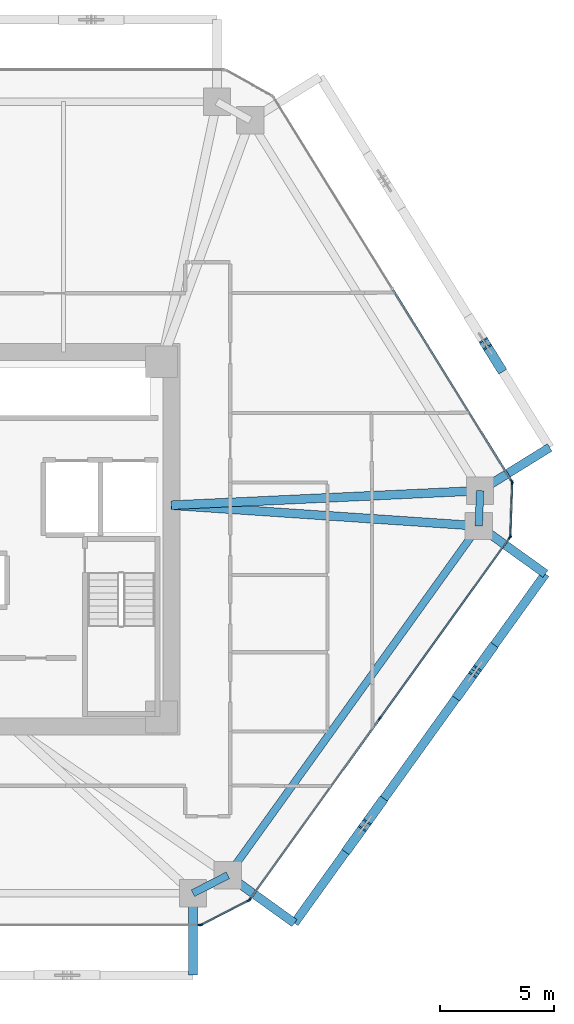
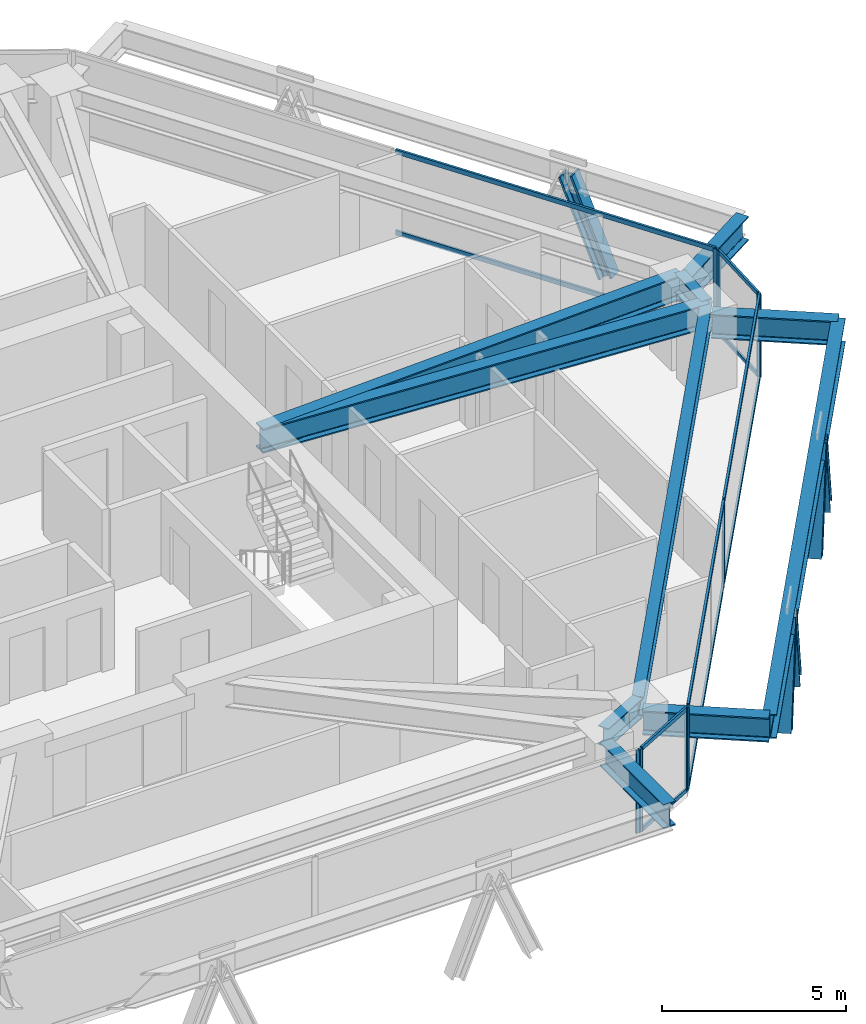
# One storey, part 5 of 17: 24 members, 10 beams, 5 elements without a shape of their own.
"""IFC4 building model written with IfcOpenShell, lengths in metres."""

from ifc_helpers import new_model, si_unit, direction, frame, origin, origin_2d, place, context, subcontext, project, spatial, rectangle, i_section, extrude, source, transform, mapped, material, layer, layer_set, material_profile, profile_set, type_object, type_shapes, element, aggregate, save


model = new_model("IFC4")

# Units and contexts
model_context = context("Model", 3, precision=1e-05, world=origin(), true_north=direction((0.0, 1.0)))
body_context = subcontext(model_context, "Body", "Model", "MODEL_VIEW")
ifc_project = project(units=[si_unit("LENGTHUNIT", "METRE"), si_unit("AREAUNIT", "SQUARE_METRE"), si_unit("VOLUMEUNIT", "CUBIC_METRE"), si_unit("PLANEANGLEUNIT", "RADIAN"), si_unit("MASSUNIT", "GRAM", prefix="KILO")], contexts=[model_context])

# Site, building, storey
site_placement = place(None, origin())
site = spatial("IfcSite", under=ifc_project, at=site_placement, CompositionType="ELEMENT")
building_placement = place(site_placement, origin())
building = spatial("IfcBuilding", under=site, at=building_placement, Name="Durnholm Broadcast Tower", CompositionType="ELEMENT")
storey_placement = place(building_placement, frame((0.0, 0.0, 137.10009765625)))
storey = spatial("IfcBuildingStorey", under=building, at=storey_placement, Name="L37", CompositionType="ELEMENT", Elevation=137.10009765625)

# Beams
ifc_material_1 = material(Name="Steel ASTM A992 Grade 50", Category="steel")
ifc_material_profile_1 = material_profile(ifc_material_1, i_section(OverallWidth=0.385009765625, OverallDepth=0.802978515625, WebThickness=0.023681640625, FlangeThickness=0.0419921875, FilletRadius=0.032958984375, at=origin_2d()), Name="W30X261")
ifc_profile_set_1 = profile_set([ifc_material_profile_1], Name="Steel ASTM A992 Grade 50")
beam_type_1 = type_object("IfcBeamType", Name="BM-EXO-TIE", PredefinedType="USERDEFINED", material=ifc_profile_set_1)
shared_shape_1 = source(origin(), body_context, "Body", "SweptSolid", [
    extrude(i_section(OverallWidth=0.385009765625, OverallDepth=0.802978515625, WebThickness=0.023681640625, FlangeThickness=0.0419921875, FilletRadius=0.032958984375, at=origin_2d()), origin(), (0.0, 0.0, 1.0), 3.4560546875),
])
for number, where, z_axis, x_axis, name in (
    (1, (11.176025390625, -15.680908203125, 2.008544921875), (0.0, -1.0, 0.0), (1.0, 0.0, 0.0), "L37 exoskeleton stand-off tie bracket F1.2"),
    (2, (12.826904296875, -14.834228515625, 2.008544921875), (0.812164951739, -0.583427880005, 0.0), (0.583427880005, 0.812164951739, 0.0), "L37 exoskeleton stand-off tie bracket F2.1"),
    (3, (23.844970703125, 0.5029296875, 2.008544921875), (0.812164951739, -0.583427880005, 0.0), (0.583427880005, 0.812164951739, 0.0), "L37 exoskeleton stand-off tie bracket F2.2"),
    (4, (23.903076171875, 2.21240234375, 2.008544921875), (0.849795112316, 0.527113144481, 0.0), (-0.527113144481, 0.849795112316, 0.0), "L37 exoskeleton stand-off tie bracket F3.1"),
):
    element("IfcBeam", number, at=place(storey_placement, frame(where, z_axis=z_axis, x_axis=x_axis)), inside=storey, type_object=beam_type_1, Name=name, ObjectType="GIRDER", PredefinedType="USERDEFINED", context=body_context, shape_type="MappedRepresentation", body=[
        mapped(shared_shape_1, transform((0.0, 0.0, 0.0), x_axis=(1.0, 0.0, 0.0), y_axis=(0.0, 1.0, 0.0), z_axis=(0.0, 0.0, 1.0), scale=1.0)),
    ])
ifc_material_profile_2 = material_profile(ifc_material_1, i_section(OverallWidth=0.3291015625, OverallDepth=0.635009765625, WebThickness=0.017822265625, FlangeThickness=0.031005859375, FilletRadius=0.02783203125, at=origin_2d()), Name="W24X162")
ifc_profile_set_2 = profile_set([ifc_material_profile_2], Name="Steel ASTM A992 Grade 50")
beam_type_2 = type_object("IfcBeamType", Name="STL-SP-W24X162", PredefinedType="SPANDREL", material=ifc_profile_set_2)
shared_shape_2 = source(origin(), body_context, "Body", "SweptSolid", [
    extrude(i_section(OverallWidth=0.3291015625, OverallDepth=0.635009765625, WebThickness=0.017822265625, FlangeThickness=0.031005859375, FilletRadius=0.02783203125, at=origin_2d()), origin(), (0.0, 0.0, 1.0), 18.884521484375),
])
beam_1_placement = place(storey_placement, frame((23.72802734375, 0.5869140625, 2.427490234375), z_axis=(-0.583443434414, -0.812153777827, 0.0), x_axis=(0.812153777827, -0.583443434414, 0.0)))
element("IfcBeam", 5, at=beam_1_placement, inside=storey, type_object=beam_type_2, Name="L37 perimeter spandrel girder 09", PredefinedType="SPANDREL", context=body_context, shape_type="MappedRepresentation", body=[
    mapped(shared_shape_2, transform((0.0, 0.0, 0.0), x_axis=(1.0, 0.0, 0.0), y_axis=(0.0, 1.0, 0.0), z_axis=(0.0, 0.0, 1.0), scale=1.0)),
])
shared_shape_3 = source(origin(), body_context, "Body", "SweptSolid", [
    extrude(i_section(OverallWidth=0.3291015625, OverallDepth=0.635009765625, WebThickness=0.017822265625, FlangeThickness=0.031005859375, FilletRadius=0.02783203125, at=origin_2d()), origin(), (0.0, 0.0, 1.0), 1.723876953125),
])
beam_2_placement = place(storey_placement, frame((12.7099609375, -14.750244140625, 2.427490234375), z_axis=(-0.889762904339, -0.456423020959, 0.0), x_axis=(0.456423020959, -0.889762904339, 0.0)))
element("IfcBeam", 6, at=beam_2_placement, inside=storey, type_object=beam_type_2, Name="L37 perimeter spandrel girder 10", PredefinedType="SPANDREL", context=body_context, shape_type="MappedRepresentation", body=[
    mapped(shared_shape_3, transform((0.0, 0.0, 0.0), x_axis=(1.0, 0.0, 0.0), y_axis=(0.0, 1.0, 0.0), z_axis=(0.0, 0.0, 1.0), scale=1.0)),
])
shared_shape_4 = source(origin(), body_context, "Body", "SweptSolid", [
    extrude(i_section(OverallWidth=0.3291015625, OverallDepth=0.635009765625, WebThickness=0.017822265625, FlangeThickness=0.031005859375, FilletRadius=0.02783203125, at=origin_2d()), origin(), (0.0, 0.0, 1.0), 1.55078125),
])
type_shapes(beam_type_2, [shared_shape_2, shared_shape_3, shared_shape_4])
beam_3_placement = place(storey_placement, frame((23.78076171875, 2.13671875, 2.427490234375), z_axis=(-0.03400678419, -0.999421602042, 0.0), x_axis=(0.999421602042, -0.03400678419, 0.0)))
element("IfcBeam", 7, at=beam_3_placement, inside=storey, type_object=beam_type_2, Name="L37 perimeter spandrel girder 08", PredefinedType="SPANDREL", context=body_context, shape_type="MappedRepresentation", body=[
    mapped(shared_shape_4, transform((0.0, 0.0, 0.0), x_axis=(1.0, 0.0, 0.0), y_axis=(0.0, 1.0, 0.0), z_axis=(0.0, 0.0, 1.0), scale=1.0)),
])
ifc_material_profile_3 = material_profile(ifc_material_1, i_section(OverallWidth=0.385009765625, OverallDepth=0.802978515625, WebThickness=0.023681640625, FlangeThickness=0.0419921875, FilletRadius=0.032958984375, at=origin_2d()), Name="W30X261")
ifc_profile_set_3 = profile_set([ifc_material_profile_3], Name="Steel ASTM A992 Grade 50")
beam_type_3 = type_object("IfcBeamType", Name="STL-GR-W30X261", PredefinedType="USERDEFINED", material=ifc_profile_set_3)
shared_shape_5 = source(origin(), body_context, "Body", "SweptSolid", [
    extrude(i_section(OverallWidth=0.385009765625, OverallDepth=0.802978515625, WebThickness=0.023681640625, FlangeThickness=0.0419921875, FilletRadius=0.032958984375, at=origin_2d()), origin(), (0.0, 0.0, 1.0), 13.570556640625),
])
beam_4_placement = place(storey_placement, frame((10.22509765625, 1.5, 2.343505859375), z_axis=(0.99889869961, 0.046918950518, 0.0), x_axis=(-0.046918950518, 0.99889869961, 0.0)))
element("IfcBeam", 8, at=beam_4_placement, inside=storey, type_object=beam_type_3, Name="L37 radial primary floor girder 08", ObjectType="GIRDER", PredefinedType="USERDEFINED", context=body_context, shape_type="MappedRepresentation", body=[
    mapped(shared_shape_5, transform((0.0, 0.0, 0.0), x_axis=(1.0, 0.0, 0.0), y_axis=(0.0, 1.0, 0.0), z_axis=(0.0, 0.0, 1.0), scale=1.0)),
])
shared_shape_6 = source(origin(), body_context, "Body", "SweptSolid", [
    extrude(i_section(OverallWidth=0.385009765625, OverallDepth=0.802978515625, WebThickness=0.023681640625, FlangeThickness=0.0419921875, FilletRadius=0.032958984375, at=origin_2d()), origin(), (0.0, 0.0, 1.0), 13.53369140625),
])
type_shapes(beam_type_3, [shared_shape_5, shared_shape_6])
beam_5_placement = place(storey_placement, frame((10.22509765625, 1.5, 2.343505859375), z_axis=(0.99772148964, -0.067467244725, 0.0), x_axis=(0.067467244725, 0.99772148964, 0.0)))
element("IfcBeam", 9, at=beam_5_placement, inside=storey, type_object=beam_type_3, Name="L37 radial primary floor girder 09", ObjectType="GIRDER", PredefinedType="USERDEFINED", context=body_context, shape_type="MappedRepresentation", body=[
    mapped(shared_shape_6, transform((0.0, 0.0, 0.0), x_axis=(1.0, 0.0, 0.0), y_axis=(0.0, 1.0, 0.0), z_axis=(0.0, 0.0, 1.0), scale=1.0)),
])
shared_shape_7 = source(origin(), body_context, "Body", "SweptSolid", [
    extrude(i_section(OverallWidth=0.385009765625, OverallDepth=0.802978515625, WebThickness=0.023681640625, FlangeThickness=0.0419921875, FilletRadius=0.032958984375, at=origin_2d()), origin(), (0.0, 0.0, 1.0), 18.884521484375),
])
type_shapes(beam_type_1, [shared_shape_1, shared_shape_7])
beam_6_placement = place(storey_placement, frame((15.6337890625, -16.8505859375, 2.008544921875), z_axis=(0.583443434414, 0.812153777827, 0.0), x_axis=(-0.812153777827, 0.583443434414, 0.0)))
element("IfcBeam", 10, at=beam_6_placement, inside=storey, type_object=beam_type_1, Name="L37 exoskeleton collector spandrel F2", PredefinedType="SPANDREL", context=body_context, shape_type="MappedRepresentation", body=[
    mapped(shared_shape_7, transform((0.0, 0.0, 0.0), x_axis=(1.0, 0.0, 0.0), y_axis=(0.0, 1.0, 0.0), z_axis=(0.0, 0.0, 1.0), scale=1.0)),
])

# Members
ifc_material_2 = material(Name="Steel ASTM A913 Grade 65", Category="steel")
ifc_material_profile_4 = material_profile(ifc_material_2, i_section(OverallWidth=0.41845703125, OverallDepth=0.455078125, WebThickness=0.0419921875, FlangeThickness=0.067626953125, FilletRadius=0.030517578125, at=origin_2d()), Name="W14X370")
ifc_profile_set_4 = profile_set([ifc_material_profile_4], Name="Steel ASTM A913 Grade 65")
member_type_1 = type_object("IfcMemberType", Name="STL-DG-W14X370", PredefinedType="BRACE", material=ifc_profile_set_4)
shared_shape_8 = source(origin(), body_context, "Body", "SweptSolid", [
    extrude(i_section(OverallWidth=0.41845703125, OverallDepth=0.455078125, WebThickness=0.0419921875, FlangeThickness=0.067626953125, FilletRadius=0.030517578125, at=origin_2d()), origin(), (0.0, 0.0, 1.0), 3.243896484375),
])
for number, where, z_axis, x_axis, name in (
    (11, (19.438720703125, -11.55419921875, -0.991455078125), (-0.221947394098, -0.308950170489, 0.924818439699), (0.812153063014, -0.583444429434, 0.0), "L37 stand-off diagrid brace F2.D1.2"),
    (12, (22.846923828125, -6.81005859375, -0.991455078125), (0.221947394098, 0.308950170489, 0.924818439699), (-0.812153063014, 0.583444429434, 0.0), "L37 stand-off diagrid brace F2.D2.1"),
    (13, (24.66552734375, 7.539794921875, -0.991455078125), (-0.200499851569, 0.323253326761, 0.924828144175), (-0.849805205368, -0.527096872433, 0.0), "L37 stand-off diagrid brace F3.D1.1"),
):
    element("IfcMember", number, at=place(storey_placement, frame(where, z_axis=z_axis, x_axis=x_axis)), inside=storey, type_object=member_type_1, Name=name, PredefinedType="BRACE", context=body_context, shape_type="MappedRepresentation", body=[
        mapped(shared_shape_8, transform((0.0, 0.0, 0.0), x_axis=(1.0, 0.0, 0.0), y_axis=(0.0, 1.0, 0.0), z_axis=(0.0, 0.0, 1.0), scale=1.0)),
    ])
shared_shape_9 = source(origin(), body_context, "Body", "SweptSolid", [
    extrude(i_section(OverallWidth=0.41845703125, OverallDepth=0.455078125, WebThickness=0.0419921875, FlangeThickness=0.067626953125, FilletRadius=0.030517578125, at=origin_2d()), origin(), (0.0, 0.0, 1.0), 3.24365234375),
])
type_shapes(member_type_1, [shared_shape_8, shared_shape_9])
for number, where, z_axis, x_axis, name in (
    (14, (17.9990234375, -13.558349609375, -0.991455078125), (0.22188099666, 0.308887249081, 0.924855389062), (-0.812179469647, 0.583407669717, 0.0), "L37 stand-off diagrid brace F2.D1.1"),
    (15, (24.28662109375, -4.805908203125, -0.991455078125), (-0.22188099666, -0.308887249081, 0.924855389062), (0.812179469647, -0.583407669717, 0.0), "L37 stand-off diagrid brace F2.D2.2"),
):
    element("IfcMember", number, at=place(storey_placement, frame(where, z_axis=z_axis, x_axis=x_axis)), inside=storey, type_object=member_type_1, Name=name, PredefinedType="BRACE", context=body_context, shape_type="MappedRepresentation", body=[
        mapped(shared_shape_9, transform((0.0, 0.0, 0.0), x_axis=(1.0, 0.0, 0.0), y_axis=(0.0, 1.0, 0.0), z_axis=(0.0, 0.0, 1.0), scale=1.0)),
    ])

# Curtain wall, members
ifc_material_3 = material(Name="Aluminium and Solar Control IGU", Category="aluminium")
ifc_layer_1 = layer(ifc_material_3, 0.1650390625)
ifc_layer_set_1 = layer_set([ifc_layer_1], Name="Aluminium and Solar Control IGU")
curtain_wall_type_1 = type_object("IfcCurtainWallType", Name="CW-SYS-5", PredefinedType="NOTDEFINED", material=ifc_layer_set_1)
curtain_wall_1_placement = place(storey_placement, origin())
curtain_wall_1 = element("IfcCurtainWall", 16, at=curtain_wall_1_placement, inside=storey, type_object=curtain_wall_type_1, Name="L37 curtain wall CW-CORNER CW-L37-CRN-07", PredefinedType="NOTDEFINED")
ifc_material_4 = material(Name="Aluminium 6063-T6", Category="aluminium")
ifc_material_profile_5 = material_profile(ifc_material_4, rectangle(XDim=0.06494140625, YDim=0.1650390625, at=origin_2d()), Name="CWM65X165")
ifc_profile_set_5 = profile_set([ifc_material_profile_5], Name="Aluminium 6063-T6")
member_type_2 = type_object("IfcMemberType", Name="CW-SYS-5-MUL", PredefinedType="MULLION", material=ifc_profile_set_5)
shared_shape_10 = source(origin(), body_context, "Body", "SweptSolid", [
    extrude(rectangle(XDim=0.06494140625, YDim=0.1650390625, at=origin_2d()), origin(), (0.0, 0.0, 1.0), 2.760009765625),
])
type_shapes(member_type_2, [shared_shape_10])
member_1_placement = place(storey_placement, frame((25.193115234375, 2.481201171875, 0.0), z_axis=(0.0, 0.0, 1.0), x_axis=(0.999424655155, -0.033916937775, 0.0)))
member_1 = element("IfcMember", 17, at=member_1_placement, type_object=member_type_2, Name="CW-CORNER mullion 1", PredefinedType="MULLION", context=body_context, shape_type="MappedRepresentation", body=[
    mapped(shared_shape_10, transform((0.0, 0.0, 0.0), x_axis=(1.0, 0.0, 0.0), y_axis=(0.0, 1.0, 0.0), z_axis=(0.0, 0.0, 1.0), scale=1.0)),
])
member_2_placement = place(storey_placement, frame((25.114013671875, 0.1474609375, 0.0), z_axis=(0.0, 0.0, 1.0), x_axis=(0.999424655155, -0.033916937775, 0.0)))
member_2 = element("IfcMember", 18, at=member_2_placement, type_object=member_type_2, Name="CW-CORNER mullion 2", PredefinedType="MULLION", context=body_context, shape_type="MappedRepresentation", body=[
    mapped(shared_shape_10, transform((0.0, 0.0, 0.0), x_axis=(1.0, 0.0, 0.0), y_axis=(0.0, 1.0, 0.0), z_axis=(0.0, 0.0, 1.0), scale=1.0)),
])

curtain_wall_2_placement = place(storey_placement, origin())
curtain_wall_2 = element("IfcCurtainWall", 19, at=curtain_wall_2_placement, inside=storey, type_object=curtain_wall_type_1, Name="L37 curtain wall CW-CORNER CW-L37-CRN-09", PredefinedType="NOTDEFINED")
member_3_placement = place(storey_placement, frame((13.620849609375, -15.8564453125, 0.0), z_axis=(0.0, 0.0, 1.0), x_axis=(0.45637332267, -0.889788396392, 0.0)))
member_3 = element("IfcMember", 20, at=member_3_placement, type_object=member_type_2, Name="CW-CORNER mullion 1", PredefinedType="MULLION", context=body_context, shape_type="MappedRepresentation", body=[
    mapped(shared_shape_10, transform((0.0, 0.0, 0.0), x_axis=(1.0, 0.0, 0.0), y_axis=(0.0, 1.0, 0.0), z_axis=(0.0, 0.0, 1.0), scale=1.0)),
])
member_4_placement = place(storey_placement, frame((11.543212890625, -16.922119140625, 0.0), z_axis=(0.0, 0.0, 1.0), x_axis=(0.45637332267, -0.889788396392, 0.0)))
member_4 = element("IfcMember", 21, at=member_4_placement, type_object=member_type_2, Name="CW-CORNER mullion 2", PredefinedType="MULLION", context=body_context, shape_type="MappedRepresentation", body=[
    mapped(shared_shape_10, transform((0.0, 0.0, 0.0), x_axis=(1.0, 0.0, 0.0), y_axis=(0.0, 1.0, 0.0), z_axis=(0.0, 0.0, 1.0), scale=1.0)),
])

# Curtain wall, member
ifc_layer_2 = layer(ifc_material_3, 0.18994140625)
ifc_layer_set_2 = layer_set([ifc_layer_2], Name="Aluminium and Solar Control IGU")
curtain_wall_type_2 = type_object("IfcCurtainWallType", Name="CW-SYS-3", PredefinedType="NOTDEFINED", material=ifc_layer_set_2)
curtain_wall_3_placement = place(storey_placement, origin())
curtain_wall_3 = element("IfcCurtainWall", 22, at=curtain_wall_3_placement, inside=storey, type_object=curtain_wall_type_2, Name="L37 curtain wall CW-Z12-VIS CW-L37-F06", PredefinedType="NOTDEFINED")
ifc_material_profile_6 = material_profile(ifc_material_4, rectangle(XDim=0.070068359375, YDim=0.18994140625, at=origin_2d()), Name="CWM70X190")
ifc_profile_set_6 = profile_set([ifc_material_profile_6], Name="Aluminium 6063-T6")
member_type_3 = type_object("IfcMemberType", Name="CW-SYS-3-MUL", PredefinedType="MULLION", material=ifc_profile_set_6)
shared_shape_11 = source(origin(), body_context, "Body", "SweptSolid", [
    extrude(rectangle(XDim=0.070068359375, YDim=0.18994140625, at=origin_2d()), origin(), (0.0, 0.0, 1.0), 2.760009765625),
])
type_shapes(member_type_3, [shared_shape_11])
member_5_placement = place(storey_placement, frame((25.17578125, 2.54345703125, 0.0), z_axis=(0.0, 0.0, 1.0), x_axis=(0.849799925229, 0.527105385176, 0.0)))
member_5 = element("IfcMember", 23, at=member_5_placement, type_object=member_type_3, Name="CW-Z12-VIS mullion 3", PredefinedType="MULLION", context=body_context, shape_type="MappedRepresentation", body=[
    mapped(shared_shape_11, transform((0.0, 0.0, 0.0), x_axis=(1.0, 0.0, 0.0), y_axis=(0.0, 1.0, 0.0), z_axis=(0.0, 0.0, 1.0), scale=1.0)),
])

# Curtain wall, members
curtain_wall_4_placement = place(storey_placement, origin())
curtain_wall_4 = element("IfcCurtainWall", 24, at=curtain_wall_4_placement, inside=storey, type_object=curtain_wall_type_2, Name="L37 curtain wall CW-Z12-VIS CW-L37-F08", PredefinedType="NOTDEFINED")
member_6_placement = place(storey_placement, frame((25.092529296875, 0.086669921875, 0.0), z_axis=(0.0, 0.0, 1.0), x_axis=(0.812152312759, -0.583445473786, 0.0)))
member_6 = element("IfcMember", 25, at=member_6_placement, type_object=member_type_3, Name="CW-Z12-VIS mullion 1", PredefinedType="MULLION", context=body_context, shape_type="MappedRepresentation", body=[
    mapped(shared_shape_11, transform((0.0, 0.0, 0.0), x_axis=(1.0, 0.0, 0.0), y_axis=(0.0, 1.0, 0.0), z_axis=(0.0, 0.0, 1.0), scale=1.0)),
])
member_7_placement = place(storey_placement, frame((19.38134765625, -7.86328125, 0.0), z_axis=(0.0, 0.0, 1.0), x_axis=(0.812152312759, -0.583445473786, 0.0)))
member_7 = element("IfcMember", 26, at=member_7_placement, type_object=member_type_3, Name="CW-Z12-VIS mullion 2", PredefinedType="MULLION", context=body_context, shape_type="MappedRepresentation", body=[
    mapped(shared_shape_11, transform((0.0, 0.0, 0.0), x_axis=(1.0, 0.0, 0.0), y_axis=(0.0, 1.0, 0.0), z_axis=(0.0, 0.0, 1.0), scale=1.0)),
])
member_8_placement = place(storey_placement, frame((13.670166015625, -15.813232421875, 0.0), z_axis=(0.0, 0.0, 1.0), x_axis=(0.812152312759, -0.583445473786, 0.0)))
member_8 = element("IfcMember", 27, at=member_8_placement, type_object=member_type_3, Name="CW-Z12-VIS mullion 3", PredefinedType="MULLION", context=body_context, shape_type="MappedRepresentation", body=[
    mapped(shared_shape_11, transform((0.0, 0.0, 0.0), x_axis=(1.0, 0.0, 0.0), y_axis=(0.0, 1.0, 0.0), z_axis=(0.0, 0.0, 1.0), scale=1.0)),
])

# Curtain wall, member
curtain_wall_5_placement = place(storey_placement, origin())
curtain_wall_5 = element("IfcCurtainWall", 28, at=curtain_wall_5_placement, inside=storey, type_object=curtain_wall_type_2, Name="L37 curtain wall CW-Z12-VIS CW-L37-F10", PredefinedType="NOTDEFINED")
member_9_placement = place(storey_placement, frame((11.479248046875, -16.93701171875, 0.0), z_axis=(0.0, 0.0, 1.0), x_axis=(0.0, -1.0, 0.0)))
member_9 = element("IfcMember", 29, at=member_9_placement, type_object=member_type_3, Name="CW-Z12-VIS mullion 1", PredefinedType="MULLION", context=body_context, shape_type="MappedRepresentation", body=[
    mapped(shared_shape_11, transform((0.0, 0.0, 0.0), x_axis=(1.0, 0.0, 0.0), y_axis=(0.0, 1.0, 0.0), z_axis=(0.0, 0.0, 1.0), scale=1.0)),
])
aggregate(curtain_wall_5, [member_9])

# Member
ifc_material_profile_7 = material_profile(ifc_material_4, rectangle(XDim=0.06494140625, YDim=0.1298828125, at=origin_2d()), Name="CWT65X130")
ifc_profile_set_7 = profile_set([ifc_material_profile_7], Name="Aluminium 6063-T6")
member_type_4 = type_object("IfcMemberType", Name="CW-SYS-5-TRN", PredefinedType="USERDEFINED", material=ifc_profile_set_7)
shared_shape_12 = source(origin(), body_context, "Body", "SweptSolid", [
    extrude(rectangle(XDim=0.06494140625, YDim=0.1298828125, at=origin_2d()), origin(), (0.0, 0.0, 1.0), 2.27001953125),
])
type_shapes(member_type_4, [shared_shape_12])
member_10_placement = place(storey_placement, frame((25.192138671875, 2.44873046875, 0.032470703125), z_axis=(-0.03398444704, -0.999422361847, 0.0), x_axis=(0.999422361847, -0.03398444704, 0.0)))
member_10 = element("IfcMember", 30, at=member_10_placement, type_object=member_type_4, Name="CW-CORNER transom 1.1", ObjectType="TRANSOM", PredefinedType="USERDEFINED", context=body_context, shape_type="MappedRepresentation", body=[
    mapped(shared_shape_12, transform((0.0, 0.0, 0.0), x_axis=(1.0, 0.0, 0.0), y_axis=(0.0, 1.0, 0.0), z_axis=(0.0, 0.0, 1.0), scale=1.0)),
])

member_11_placement = place(storey_placement, frame((25.192138671875, 2.44873046875, 2.727294921875), z_axis=(-0.03398444704, -0.999422361847, 0.0), x_axis=(0.999422361847, -0.03398444704, 0.0)))
member_11 = element("IfcMember", 31, at=member_11_placement, type_object=member_type_4, Name="CW-CORNER transom 1.2", ObjectType="TRANSOM", PredefinedType="USERDEFINED", context=body_context, shape_type="MappedRepresentation", body=[
    mapped(shared_shape_12, transform((0.0, 0.0, 0.0), x_axis=(1.0, 0.0, 0.0), y_axis=(0.0, 1.0, 0.0), z_axis=(0.0, 0.0, 1.0), scale=1.0)),
])

aggregate(curtain_wall_1, [member_1, member_2, member_10, member_11])

member_12_placement = place(storey_placement, frame((13.591796875, -15.871337890625, 0.032470703125), z_axis=(-0.889798425843, -0.456353767781, 0.0), x_axis=(0.456353767781, -0.889798425843, 0.0)))
member_12 = element("IfcMember", 32, at=member_12_placement, type_object=member_type_4, Name="CW-CORNER transom 1.1", ObjectType="TRANSOM", PredefinedType="USERDEFINED", context=body_context, shape_type="MappedRepresentation", body=[
    mapped(shared_shape_12, transform((0.0, 0.0, 0.0), x_axis=(1.0, 0.0, 0.0), y_axis=(0.0, 1.0, 0.0), z_axis=(0.0, 0.0, 1.0), scale=1.0)),
])

member_13_placement = place(storey_placement, frame((13.591796875, -15.871337890625, 2.727294921875), z_axis=(-0.889798425843, -0.456353767781, 0.0), x_axis=(0.456353767781, -0.889798425843, 0.0)))
member_13 = element("IfcMember", 33, at=member_13_placement, type_object=member_type_4, Name="CW-CORNER transom 1.2", ObjectType="TRANSOM", PredefinedType="USERDEFINED", context=body_context, shape_type="MappedRepresentation", body=[
    mapped(shared_shape_12, transform((0.0, 0.0, 0.0), x_axis=(1.0, 0.0, 0.0), y_axis=(0.0, 1.0, 0.0), z_axis=(0.0, 0.0, 1.0), scale=1.0)),
])

aggregate(curtain_wall_2, [member_3, member_4, member_12, member_13])

ifc_material_profile_8 = material_profile(ifc_material_4, rectangle(XDim=0.070068359375, YDim=0.14990234375, at=origin_2d()), Name="CWT70X150")
ifc_profile_set_8 = profile_set([ifc_material_profile_8], Name="Aluminium 6063-T6")
member_type_5 = type_object("IfcMemberType", Name="CW-SYS-3-TRN", PredefinedType="USERDEFINED", material=ifc_profile_set_8)
shared_shape_13 = source(origin(), body_context, "Body", "SweptSolid", [
    extrude(rectangle(XDim=0.070068359375, YDim=0.14990234375, at=origin_2d()), origin(), (0.0, 0.0, 1.0), 9.71875),
])
member_14_placement = place(storey_placement, frame((25.072021484375, 0.05810546875, 0.034912109375), z_axis=(-0.583450726174, -0.812148539448, 0.0), x_axis=(0.812148539448, -0.583450726174, 0.0)))
member_14 = element("IfcMember", 34, at=member_14_placement, type_object=member_type_5, Name="CW-Z12-VIS transom 1.1", ObjectType="TRANSOM", PredefinedType="USERDEFINED", context=body_context, shape_type="MappedRepresentation", body=[
    mapped(shared_shape_13, transform((0.0, 0.0, 0.0), x_axis=(1.0, 0.0, 0.0), y_axis=(0.0, 1.0, 0.0), z_axis=(0.0, 0.0, 1.0), scale=1.0)),
])

member_15_placement = place(storey_placement, frame((25.072021484375, 0.05810546875, 2.724853515625), z_axis=(-0.583450726174, -0.812148539448, 0.0), x_axis=(0.812148539448, -0.583450726174, 0.0)))
member_15 = element("IfcMember", 35, at=member_15_placement, type_object=member_type_5, Name="CW-Z12-VIS transom 1.2", ObjectType="TRANSOM", PredefinedType="USERDEFINED", context=body_context, shape_type="MappedRepresentation", body=[
    mapped(shared_shape_13, transform((0.0, 0.0, 0.0), x_axis=(1.0, 0.0, 0.0), y_axis=(0.0, 1.0, 0.0), z_axis=(0.0, 0.0, 1.0), scale=1.0)),
])

member_16_placement = place(storey_placement, frame((19.36083984375, -7.891845703125, 0.034912109375), z_axis=(-0.583450726174, -0.812148539448, 0.0), x_axis=(0.812148539448, -0.583450726174, 0.0)))
member_16 = element("IfcMember", 36, at=member_16_placement, type_object=member_type_5, Name="CW-Z12-VIS transom 2.1", ObjectType="TRANSOM", PredefinedType="USERDEFINED", context=body_context, shape_type="MappedRepresentation", body=[
    mapped(shared_shape_13, transform((0.0, 0.0, 0.0), x_axis=(1.0, 0.0, 0.0), y_axis=(0.0, 1.0, 0.0), z_axis=(0.0, 0.0, 1.0), scale=1.0)),
])

member_17_placement = place(storey_placement, frame((19.36083984375, -7.891845703125, 2.724853515625), z_axis=(-0.583450726174, -0.812148539448, 0.0), x_axis=(0.812148539448, -0.583450726174, 0.0)))
member_17 = element("IfcMember", 37, at=member_17_placement, type_object=member_type_5, Name="CW-Z12-VIS transom 2.2", ObjectType="TRANSOM", PredefinedType="USERDEFINED", context=body_context, shape_type="MappedRepresentation", body=[
    mapped(shared_shape_13, transform((0.0, 0.0, 0.0), x_axis=(1.0, 0.0, 0.0), y_axis=(0.0, 1.0, 0.0), z_axis=(0.0, 0.0, 1.0), scale=1.0)),
])

aggregate(curtain_wall_4, [member_6, member_7, member_8, member_14, member_15, member_16, member_17])

shared_shape_14 = source(origin(), body_context, "Body", "SweptSolid", [
    extrude(rectangle(XDim=0.070068359375, YDim=0.14990234375, at=origin_2d()), origin(), (0.0, 0.0, 1.0), 9.859130859375),
])
type_shapes(member_type_5, [shared_shape_13, shared_shape_14])
member_18_placement = place(storey_placement, frame((19.960693359375, 10.951171875, 0.034912109375), z_axis=(0.527108872232, -0.849797762303, 0.0), x_axis=(0.849797762303, 0.527108872232, 0.0)))
member_18 = element("IfcMember", 38, at=member_18_placement, type_object=member_type_5, Name="CW-Z12-VIS transom 2.1", ObjectType="TRANSOM", PredefinedType="USERDEFINED", context=body_context, shape_type="MappedRepresentation", body=[
    mapped(shared_shape_14, transform((0.0, 0.0, 0.0), x_axis=(1.0, 0.0, 0.0), y_axis=(0.0, 1.0, 0.0), z_axis=(0.0, 0.0, 1.0), scale=1.0)),
])

member_19_placement = place(storey_placement, frame((19.960693359375, 10.951171875, 2.724853515625), z_axis=(0.527108872232, -0.849797762303, 0.0), x_axis=(0.849797762303, 0.527108872232, 0.0)))
member_19 = element("IfcMember", 39, at=member_19_placement, type_object=member_type_5, Name="CW-Z12-VIS transom 2.2", ObjectType="TRANSOM", PredefinedType="USERDEFINED", context=body_context, shape_type="MappedRepresentation", body=[
    mapped(shared_shape_14, transform((0.0, 0.0, 0.0), x_axis=(1.0, 0.0, 0.0), y_axis=(0.0, 1.0, 0.0), z_axis=(0.0, 0.0, 1.0), scale=1.0)),
])

aggregate(curtain_wall_3, [member_5, member_18, member_19])

save(model, "model.ifc")
